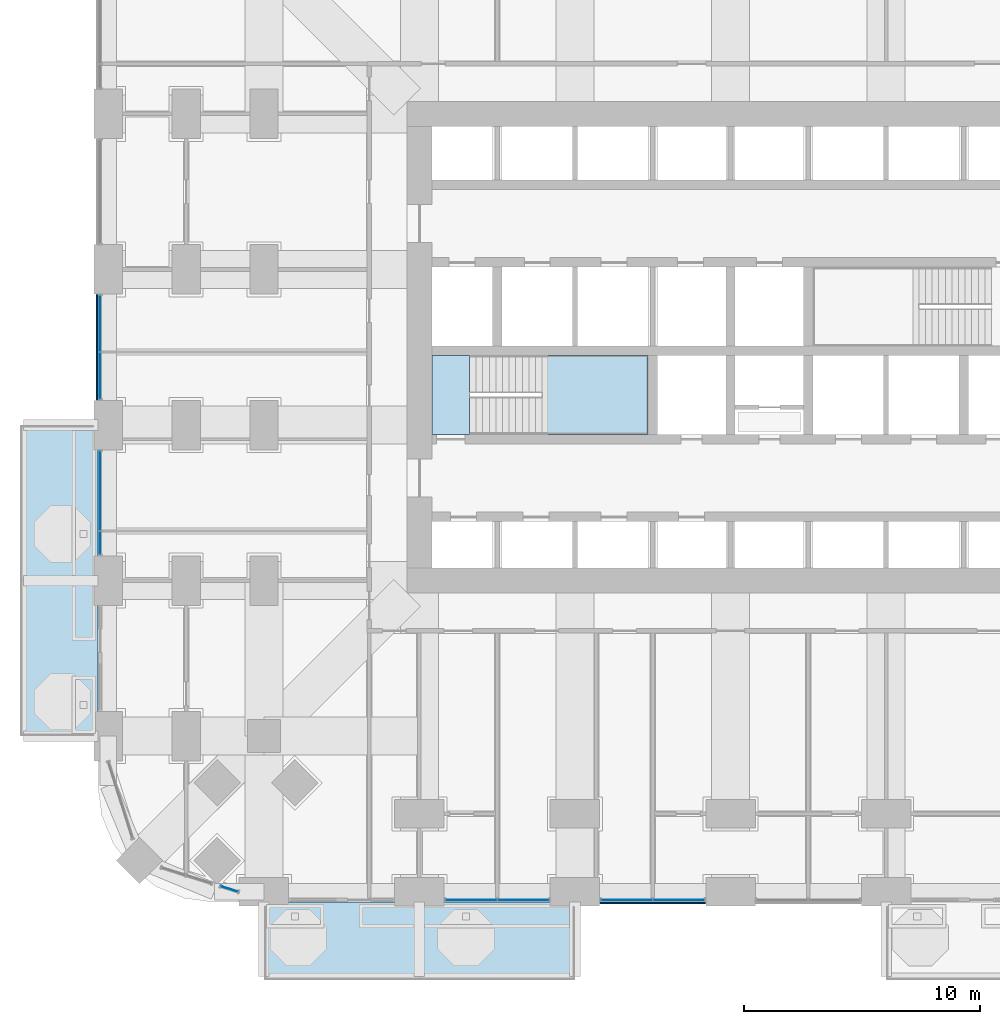
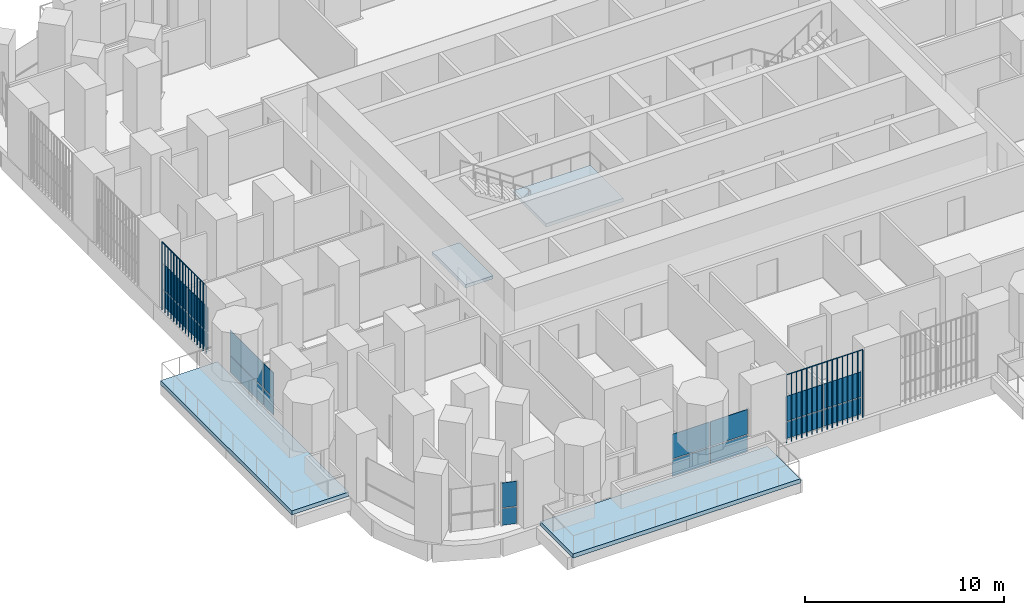
# One storey, part 12 of 27: 20 plates, 4 slabs, 6 elements without a shape of their own.
"""IFC4 building model written with IfcOpenShell, lengths in metres."""

from ifc_helpers import new_model, si_unit, direction, frame, origin, origin_2d, place, context, subcontext, project, spatial, polyline, rectangle, outline, extrude, material, layer, layer_set, type_object, element, aggregate, save


model = new_model("IFC4")

# Units and contexts
model_context = context("Model", 3, precision=1e-05, world=origin(), true_north=direction((0.0, 1.0)))
body_context = subcontext(model_context, "Body", "Model", "MODEL_VIEW")
ifc_project = project(units=[si_unit("LENGTHUNIT", "METRE"), si_unit("AREAUNIT", "SQUARE_METRE"), si_unit("VOLUMEUNIT", "CUBIC_METRE"), si_unit("PLANEANGLEUNIT", "RADIAN"), si_unit("MASSUNIT", "GRAM", prefix="KILO")], contexts=[model_context])

# Site, building, storey
site_placement = place(None, origin())
site = spatial("IfcSite", under=ifc_project, at=site_placement, CompositionType="ELEMENT")
building_placement = place(site_placement, origin())
building = spatial("IfcBuilding", under=site, at=building_placement, Name="Cobogo Forest Laboratory Tower", CompositionType="ELEMENT")
storey_placement = place(building_placement, frame((0.0, 0.0, 63.300048828125)))
storey = spatial("IfcBuildingStorey", under=building, at=storey_placement, Name="L14", CompositionType="ELEMENT", Elevation=63.300048828125)

# Slabs
ifc_material_1 = material(Name="Concrete HA-40 (C40/50)", Category="concrete")
ifc_layer_1 = layer(ifc_material_1, 0.25)
ifc_layer_set_1 = layer_set([ifc_layer_1], Name="Balcony slab 250")
slab_type_1 = type_object("IfcSlabType", Name="Balcony slab 250", PredefinedType="FLOOR", material=ifc_layer_set_1)
slab_1_placement = place(storey_placement, frame((0.0, 0.0, -0.25)))
element("IfcSlab", 1, at=slab_1_placement, inside=storey, type_object=slab_type_1, Name="Balcony BAL-S1 L14", PredefinedType="FLOOR", context=body_context, shape_type="SweptSolid", body=[
    extrude(outline(polyline([(6.60009765625, -3.75), (19.800048828125, -3.75), (19.800048828125, -0.449951171875), (6.60009765625, -0.449951171875), (6.60009765625, -3.75)])), origin(), (0.0, 0.0, 1.0), 0.25),
])
slab_2_placement = place(storey_placement, frame((0.0, 0.0, -0.25)))
element("IfcSlab", 2, at=slab_2_placement, inside=storey, type_object=slab_type_1, Name="Balcony BAL-W1 L14", PredefinedType="FLOOR", context=body_context, shape_type="SweptSolid", body=[
    extrude(outline(polyline([(-3.75, 6.60009765625), (-0.449951171875, 6.60009765625), (-0.449951171875, 19.800048828125), (-3.75, 19.800048828125), (-3.75, 6.60009765625)])), origin(), (0.0, 0.0, 1.0), 0.25),
])

# Curtain wall, plates
ifc_material_2 = material(Name="Aluminium curtain wall", Category="aluminium")
curtain_wall_type = type_object("IfcCurtainWallType", Name="CW-1 unitised curtain wall, clear glazing, laboratory floors zones A and B", PredefinedType="USERDEFINED", material=ifc_material_2)
curtain_wall_1_placement = place(storey_placement, origin())
curtain_wall_1 = element("IfcCurtainWall", 3, at=curtain_wall_1_placement, inside=storey, type_object=curtain_wall_type, Name="Curtain wall 02 L14", ObjectType="UNITISED CURTAIN WALL", PredefinedType="USERDEFINED")
ifc_material_3 = material(Name="Clear insulated glass", Category="glass")
ifc_layer_2 = layer(ifc_material_3, 0.028076171875)
ifc_layer_set_2 = layer_set([ifc_layer_2], Name="GP-1 clear insulated glass unit 28")
plate_type_1 = type_object("IfcPlateType", Name="GP-1 clear insulated glass unit 28", PredefinedType="CURTAIN_PANEL", material=ifc_layer_set_2)
plate_1_placement = place(storey_placement, frame((15.389892578125, -0.35009765625, 0.0), z_axis=(0.0, 0.0, 1.0), x_axis=(1.0, 0.0, 0.0)))
plate_1 = element("IfcPlate", 4, at=plate_1_placement, type_object=plate_type_1, Name="CW-1 panel 1.1", PredefinedType="CURTAIN_PANEL", context=body_context, shape_type="SweptSolid", body=[
    extrude(rectangle(XDim=2.159912109375, YDim=0.028076171875, at=origin_2d()), origin(), (0.0, 0.0, 1.0), 1.02001953125),
])
plate_2_placement = place(storey_placement, frame((15.389892578125, -0.35009765625, 1.079833984375), z_axis=(0.0, 0.0, 1.0), x_axis=(1.0, 0.0, 0.0)))
plate_2 = element("IfcPlate", 5, at=plate_2_placement, type_object=plate_type_1, Name="CW-1 panel 1.2", PredefinedType="CURTAIN_PANEL", context=body_context, shape_type="SweptSolid", body=[
    extrude(rectangle(XDim=2.159912109375, YDim=0.028076171875, at=origin_2d()), origin(), (0.0, 0.0, 1.0), 1.52001953125),
])
plate_3_placement = place(storey_placement, frame((17.610107421875, -0.35009765625, 0.0), z_axis=(0.0, 0.0, 1.0), x_axis=(1.0, 0.0, 0.0)))
plate_3 = element("IfcPlate", 6, at=plate_3_placement, type_object=plate_type_1, Name="CW-1 panel 2.1", PredefinedType="CURTAIN_PANEL", context=body_context, shape_type="SweptSolid", body=[
    extrude(rectangle(XDim=2.159912109375, YDim=0.028076171875, at=origin_2d()), origin(), (0.0, 0.0, 1.0), 1.02001953125),
])
plate_4_placement = place(storey_placement, frame((17.610107421875, -0.35009765625, 1.079833984375), z_axis=(0.0, 0.0, 1.0), x_axis=(1.0, 0.0, 0.0)))
plate_4 = element("IfcPlate", 7, at=plate_4_placement, type_object=plate_type_1, Name="CW-1 panel 2.2", PredefinedType="CURTAIN_PANEL", context=body_context, shape_type="SweptSolid", body=[
    extrude(rectangle(XDim=2.159912109375, YDim=0.028076171875, at=origin_2d()), origin(), (0.0, 0.0, 1.0), 1.52001953125),
])
aggregate(curtain_wall_1, [plate_1, plate_2, plate_3, plate_4])

curtain_wall_2_placement = place(storey_placement, origin())
curtain_wall_2 = element("IfcCurtainWall", 8, at=curtain_wall_2_placement, inside=storey, type_object=curtain_wall_type, Name="Curtain wall 03 L14", ObjectType="UNITISED CURTAIN WALL", PredefinedType="USERDEFINED")
plate_5_placement = place(storey_placement, frame((21.989990234375, -0.35009765625, 0.0), z_axis=(0.0, 0.0, 1.0), x_axis=(1.0, 0.0, 0.0)))
plate_5 = element("IfcPlate", 9, at=plate_5_placement, type_object=plate_type_1, Name="CW-1 panel 1.1", PredefinedType="CURTAIN_PANEL", context=body_context, shape_type="SweptSolid", body=[
    extrude(rectangle(XDim=2.159912109375, YDim=0.028076171875, at=origin_2d()), origin(), (0.0, 0.0, 1.0), 1.02001953125),
])
plate_6_placement = place(storey_placement, frame((21.989990234375, -0.35009765625, 1.079833984375), z_axis=(0.0, 0.0, 1.0), x_axis=(1.0, 0.0, 0.0)))
plate_6 = element("IfcPlate", 10, at=plate_6_placement, type_object=plate_type_1, Name="CW-1 panel 1.2", PredefinedType="CURTAIN_PANEL", context=body_context, shape_type="SweptSolid", body=[
    extrude(rectangle(XDim=2.159912109375, YDim=0.028076171875, at=origin_2d()), origin(), (0.0, 0.0, 1.0), 1.52001953125),
])
plate_7_placement = place(storey_placement, frame((24.2099609375, -0.35009765625, 0.0), z_axis=(0.0, 0.0, 1.0), x_axis=(1.0, 0.0, 0.0)))
plate_7 = element("IfcPlate", 11, at=plate_7_placement, type_object=plate_type_1, Name="CW-1 panel 2.1", PredefinedType="CURTAIN_PANEL", context=body_context, shape_type="SweptSolid", body=[
    extrude(rectangle(XDim=2.159912109375, YDim=0.028076171875, at=origin_2d()), origin(), (0.0, 0.0, 1.0), 1.02001953125),
])
plate_8_placement = place(storey_placement, frame((24.2099609375, -0.35009765625, 1.079833984375), z_axis=(0.0, 0.0, 1.0), x_axis=(1.0, 0.0, 0.0)))
plate_8 = element("IfcPlate", 12, at=plate_8_placement, type_object=plate_type_1, Name="CW-1 panel 2.2", PredefinedType="CURTAIN_PANEL", context=body_context, shape_type="SweptSolid", body=[
    extrude(rectangle(XDim=2.159912109375, YDim=0.028076171875, at=origin_2d()), origin(), (0.0, 0.0, 1.0), 1.52001953125),
])
aggregate(curtain_wall_2, [plate_5, plate_6, plate_7, plate_8])

curtain_wall_3_placement = place(storey_placement, origin())
curtain_wall_3 = element("IfcCurtainWall", 13, at=curtain_wall_3_placement, inside=storey, type_object=curtain_wall_type, Name="Curtain wall 29 L14", ObjectType="UNITISED CURTAIN WALL", PredefinedType="USERDEFINED")
plate_9_placement = place(storey_placement, frame((-0.35009765625, 24.110107421875, 0.0), z_axis=(0.0, 0.0, 1.0), x_axis=(0.0, -1.0, 0.0)))
plate_9 = element("IfcPlate", 14, at=plate_9_placement, type_object=plate_type_1, Name="CW-1 panel 1.1", PredefinedType="CURTAIN_PANEL", context=body_context, shape_type="SweptSolid", body=[
    extrude(rectangle(XDim=2.360107421875, YDim=0.028076171875, at=origin_2d()), origin(), (0.0, 0.0, 1.0), 1.02001953125),
])
plate_10_placement = place(storey_placement, frame((-0.35009765625, 24.110107421875, 1.079833984375), z_axis=(0.0, 0.0, 1.0), x_axis=(0.0, -1.0, 0.0)))
plate_10 = element("IfcPlate", 15, at=plate_10_placement, type_object=plate_type_1, Name="CW-1 panel 1.2", PredefinedType="CURTAIN_PANEL", context=body_context, shape_type="SweptSolid", body=[
    extrude(rectangle(XDim=2.360107421875, YDim=0.028076171875, at=origin_2d()), origin(), (0.0, 0.0, 1.0), 1.52001953125),
])
plate_11_placement = place(storey_placement, frame((-0.35009765625, 21.889892578125, 0.0), z_axis=(0.0, 0.0, 1.0), x_axis=(0.0, -1.0, 0.0)))
plate_11 = element("IfcPlate", 16, at=plate_11_placement, type_object=plate_type_1, Name="CW-1 panel 2.1", PredefinedType="CURTAIN_PANEL", context=body_context, shape_type="SweptSolid", body=[
    extrude(rectangle(XDim=1.9599609375, YDim=0.028076171875, at=origin_2d()), origin(), (0.0, 0.0, 1.0), 1.02001953125),
])
plate_12_placement = place(storey_placement, frame((-0.35009765625, 21.889892578125, 1.079833984375), z_axis=(0.0, 0.0, 1.0), x_axis=(0.0, -1.0, 0.0)))
plate_12 = element("IfcPlate", 17, at=plate_12_placement, type_object=plate_type_1, Name="CW-1 panel 2.2", PredefinedType="CURTAIN_PANEL", context=body_context, shape_type="SweptSolid", body=[
    extrude(rectangle(XDim=1.9599609375, YDim=0.028076171875, at=origin_2d()), origin(), (0.0, 0.0, 1.0), 1.52001953125),
])
aggregate(curtain_wall_3, [plate_9, plate_10, plate_11, plate_12])

curtain_wall_4_placement = place(storey_placement, origin())
curtain_wall_4 = element("IfcCurtainWall", 18, at=curtain_wall_4_placement, inside=storey, type_object=curtain_wall_type, Name="Curtain wall 30 L14", ObjectType="UNITISED CURTAIN WALL", PredefinedType="USERDEFINED")
plate_13_placement = place(storey_placement, frame((-0.35009765625, 17.010009765625, 0.0), z_axis=(0.0, 0.0, 1.0), x_axis=(0.0, -1.0, 0.0)))
plate_13 = element("IfcPlate", 19, at=plate_13_placement, type_object=plate_type_1, Name="CW-1 panel 1.1", PredefinedType="CURTAIN_PANEL", context=body_context, shape_type="SweptSolid", body=[
    extrude(rectangle(XDim=3.360107421875, YDim=0.028076171875, at=origin_2d()), origin(), (0.0, 0.0, 1.0), 1.02001953125),
])
plate_14_placement = place(storey_placement, frame((-0.35009765625, 17.010009765625, 1.079833984375), z_axis=(0.0, 0.0, 1.0), x_axis=(0.0, -1.0, 0.0)))
plate_14 = element("IfcPlate", 20, at=plate_14_placement, type_object=plate_type_1, Name="CW-1 panel 1.2", PredefinedType="CURTAIN_PANEL", context=body_context, shape_type="SweptSolid", body=[
    extrude(rectangle(XDim=3.360107421875, YDim=0.028076171875, at=origin_2d()), origin(), (0.0, 0.0, 1.0), 1.52001953125),
])
plate_15_placement = place(storey_placement, frame((-0.35009765625, 14.7900390625, 0.0), z_axis=(0.0, 0.0, 1.0), x_axis=(0.0, -1.0, 0.0)))
plate_15 = element("IfcPlate", 21, at=plate_15_placement, type_object=plate_type_1, Name="CW-1 panel 2.1", PredefinedType="CURTAIN_PANEL", context=body_context, shape_type="SweptSolid", body=[
    extrude(rectangle(XDim=0.9599609375, YDim=0.028076171875, at=origin_2d()), origin(), (0.0, 0.0, 1.0), 1.02001953125),
])
plate_16_placement = place(storey_placement, frame((-0.35009765625, 14.7900390625, 1.079833984375), z_axis=(0.0, 0.0, 1.0), x_axis=(0.0, -1.0, 0.0)))
plate_16 = element("IfcPlate", 22, at=plate_16_placement, type_object=plate_type_1, Name="CW-1 panel 2.2", PredefinedType="CURTAIN_PANEL", context=body_context, shape_type="SweptSolid", body=[
    extrude(rectangle(XDim=0.9599609375, YDim=0.028076171875, at=origin_2d()), origin(), (0.0, 0.0, 1.0), 1.52001953125),
])
aggregate(curtain_wall_4, [plate_13, plate_14, plate_15, plate_16])

curtain_wall_5_placement = place(storey_placement, origin())
curtain_wall_5 = element("IfcCurtainWall", 23, at=curtain_wall_5_placement, inside=storey, type_object=curtain_wall_type, Name="Curtain wall 34 L14", ObjectType="UNITISED CURTAIN WALL", PredefinedType="USERDEFINED")
plate_17_placement = place(storey_placement, frame((5.134033203125, 0.113037109375, 0.0), z_axis=(0.0, 0.0, 1.0), x_axis=(0.953581504428, -0.301135043481, 0.0)))
plate_17 = element("IfcPlate", 24, at=plate_17_placement, type_object=plate_type_1, Name="CW-1 panel 1.1", PredefinedType="CURTAIN_PANEL", context=body_context, shape_type="SweptSolid", body=[
    extrude(rectangle(XDim=0.75244140625, YDim=0.028076171875, at=origin_2d()), origin(), (0.0, 0.0, 1.0), 1.02001953125),
])
plate_18_placement = place(storey_placement, frame((5.134033203125, 0.113037109375, 1.079833984375), z_axis=(0.0, 0.0, 1.0), x_axis=(0.953581504428, -0.301135043481, 0.0)))
plate_18 = element("IfcPlate", 25, at=plate_18_placement, type_object=plate_type_1, Name="CW-1 panel 1.2", PredefinedType="CURTAIN_PANEL", context=body_context, shape_type="SweptSolid", body=[
    extrude(rectangle(XDim=0.75244140625, YDim=0.028076171875, at=origin_2d()), origin(), (0.0, 0.0, 1.0), 1.52001953125),
])
aggregate(curtain_wall_5, [plate_17, plate_18])

# Stair, slabs
ifc_material_4 = material(Name="Precast concrete HA-40 (C40/50)", Category="concrete")
stair_type = type_object("IfcStairType", Name="ST24 exit stair 24 risers", PredefinedType="HALF_TURN_STAIR", material=ifc_material_4)
stair_placement = place(storey_placement, origin())
stair = element("IfcStair", 26, at=stair_placement, inside=storey, type_object=stair_type, Name="Stair 1 L14 to L15", PredefinedType="HALF_TURN_STAIR")
ifc_layer_3 = layer(ifc_material_1, 0.199951171875)
ifc_layer_set_3 = layer_set([ifc_layer_3], Name="SL stair landing 200")
slab_type_2 = type_object("IfcSlabType", Name="SL stair landing 200", PredefinedType="LANDING", material=ifc_layer_set_3)
slab_3_placement = place(storey_placement, frame((0.0, 0.0, -0.199951171875)))
slab_3 = element("IfcSlab", 27, at=slab_3_placement, type_object=slab_type_2, Name="ST1 landing 1", PredefinedType="LANDING", context=body_context, shape_type="SweptSolid", body=[
    extrude(outline(polyline([(13.72509765625, 19.39990234375), (15.326904296875, 19.39990234375), (15.326904296875, 22.75), (13.72509765625, 22.75), (13.72509765625, 19.39990234375)])), origin(), (0.0, 0.0, 1.0), 0.199951171875),
])
slab_4_placement = place(storey_placement, frame((0.0, 0.0, 1.89990234375)))
slab_4 = element("IfcSlab", 28, at=slab_4_placement, type_object=slab_type_2, Name="ST1 landing 2", PredefinedType="LANDING", context=body_context, shape_type="SweptSolid", body=[
    extrude(outline(polyline([(18.403076171875, 19.39990234375), (22.89990234375, 19.39990234375), (22.89990234375, 22.75), (18.403076171875, 22.75), (18.403076171875, 19.39990234375)])), origin(), (0.0, 0.0, 1.0), 0.199951171875),
])
aggregate(stair, [slab_3, slab_4])

# Plates
ifc_material_5 = material(Name="Terracotta", Category="masonry")
plate_type_2 = type_object("IfcPlateType", Name="TB1 terracotta baguette screen", PredefinedType="USERDEFINED", material=ifc_material_5)
plate_19_placement = place(storey_placement, frame((20.88134765625, -0.477783203125, -0.150146484375)))
element("IfcPlate", 29, at=plate_19_placement, inside=storey, type_object=plate_type_2, Name="Baguette screen S3 L14", ObjectType="BAGUETTE SCREEN", PredefinedType="USERDEFINED", context=body_context, shape_type="SweptSolid", body=[
    extrude(outline(polyline([(0.02880859375, 0.011962890625), (0.011962890625, 0.02880859375), (-0.011962890625, 0.02880859375), (-0.02880859375, 0.011962890625), (-0.02880859375, -0.011962890625), (-0.011962890625, -0.02880859375), (0.011962890625, -0.02880859375), (0.02880859375, -0.011962890625), (0.02880859375, 0.011962890625)])), frame((0.0, 0.0, 4.168701171875), z_axis=(1.0, 0.0, 0.0), x_axis=(0.0, 1.0, 0.0)), (0.0, 0.0, 1.0), 4.4375),
    extrude(outline(polyline([(0.02880859375, 0.011962890625), (0.011962890625, 0.02880859375), (-0.011962890625, 0.02880859375), (-0.02880859375, 0.011962890625), (-0.02880859375, -0.011962890625), (-0.011962890625, -0.02880859375), (0.011962890625, -0.02880859375), (0.02880859375, -0.011962890625), (0.02880859375, 0.011962890625)])), origin(), (0.0, 0.0, 1.0), 4.137451171875),
    extrude(outline(polyline([(0.02880859375, 0.011962890625), (0.011962890625, 0.02880859375), (-0.011962890625, 0.02880859375), (-0.02880859375, 0.011962890625), (-0.02880859375, -0.011962890625), (-0.011962890625, -0.02880859375), (0.011962890625, -0.02880859375), (0.02880859375, -0.011962890625), (0.02880859375, 0.011962890625)])), frame((0.2958984375, 0.0, 0.0)), (0.0, 0.0, 1.0), 4.137451171875),
    extrude(outline(polyline([(0.02880859375, 0.011962890625), (0.011962890625, 0.02880859375), (-0.011962890625, 0.02880859375), (-0.02880859375, 0.011962890625), (-0.02880859375, -0.011962890625), (-0.011962890625, -0.02880859375), (0.011962890625, -0.02880859375), (0.02880859375, -0.011962890625), (0.02880859375, 0.011962890625)])), frame((0.591552734375, 0.0, 0.0)), (0.0, 0.0, 1.0), 4.137451171875),
    extrude(outline(polyline([(0.02880859375, 0.011962890625), (0.011962890625, 0.02880859375), (-0.011962890625, 0.02880859375), (-0.02880859375, 0.011962890625), (-0.02880859375, -0.011962890625), (-0.011962890625, -0.02880859375), (0.011962890625, -0.02880859375), (0.02880859375, -0.011962890625), (0.02880859375, 0.011962890625)])), frame((0.887451171875, 0.0, 0.0)), (0.0, 0.0, 1.0), 4.137451171875),
    extrude(outline(polyline([(0.02880859375, 0.011962890625), (0.011962890625, 0.02880859375), (-0.011962890625, 0.02880859375), (-0.02880859375, 0.011962890625), (-0.02880859375, -0.011962890625), (-0.011962890625, -0.02880859375), (0.011962890625, -0.02880859375), (0.02880859375, -0.011962890625), (0.02880859375, 0.011962890625)])), frame((1.183349609375, 0.0, 0.0)), (0.0, 0.0, 1.0), 4.137451171875),
    extrude(outline(polyline([(0.02880859375, 0.011962890625), (0.011962890625, 0.02880859375), (-0.011962890625, 0.02880859375), (-0.02880859375, 0.011962890625), (-0.02880859375, -0.011962890625), (-0.011962890625, -0.02880859375), (0.011962890625, -0.02880859375), (0.02880859375, -0.011962890625), (0.02880859375, 0.011962890625)])), frame((1.479248046875, 0.0, 0.0)), (0.0, 0.0, 1.0), 4.137451171875),
    extrude(outline(polyline([(0.02880859375, 0.011962890625), (0.011962890625, 0.02880859375), (-0.011962890625, 0.02880859375), (-0.02880859375, 0.011962890625), (-0.02880859375, -0.011962890625), (-0.011962890625, -0.02880859375), (0.011962890625, -0.02880859375), (0.02880859375, -0.011962890625), (0.02880859375, 0.011962890625)])), frame((1.77490234375, 0.0, 0.0)), (0.0, 0.0, 1.0), 4.137451171875),
    extrude(outline(polyline([(0.02880859375, 0.011962890625), (0.011962890625, 0.02880859375), (-0.011962890625, 0.02880859375), (-0.02880859375, 0.011962890625), (-0.02880859375, -0.011962890625), (-0.011962890625, -0.02880859375), (0.011962890625, -0.02880859375), (0.02880859375, -0.011962890625), (0.02880859375, 0.011962890625)])), frame((2.07080078125, 0.0, 0.0)), (0.0, 0.0, 1.0), 4.137451171875),
    extrude(outline(polyline([(0.02880859375, 0.011962890625), (0.011962890625, 0.02880859375), (-0.011962890625, 0.02880859375), (-0.02880859375, 0.011962890625), (-0.02880859375, -0.011962890625), (-0.011962890625, -0.02880859375), (0.011962890625, -0.02880859375), (0.02880859375, -0.011962890625), (0.02880859375, 0.011962890625)])), frame((2.36669921875, 0.0, 0.0)), (0.0, 0.0, 1.0), 4.137451171875),
    extrude(outline(polyline([(0.02880859375, 0.011962890625), (0.011962890625, 0.02880859375), (-0.011962890625, 0.02880859375), (-0.02880859375, 0.011962890625), (-0.02880859375, -0.011962890625), (-0.011962890625, -0.02880859375), (0.011962890625, -0.02880859375), (0.02880859375, -0.011962890625), (0.02880859375, 0.011962890625)])), frame((2.66259765625, 0.0, 0.0)), (0.0, 0.0, 1.0), 4.137451171875),
    extrude(outline(polyline([(0.02880859375, 0.011962890625), (0.011962890625, 0.02880859375), (-0.011962890625, 0.02880859375), (-0.02880859375, 0.011962890625), (-0.02880859375, -0.011962890625), (-0.011962890625, -0.02880859375), (0.011962890625, -0.02880859375), (0.02880859375, -0.011962890625), (0.02880859375, 0.011962890625)])), frame((2.958251953125, 0.0, 0.0)), (0.0, 0.0, 1.0), 4.137451171875),
    extrude(outline(polyline([(0.02880859375, 0.011962890625), (0.011962890625, 0.02880859375), (-0.011962890625, 0.02880859375), (-0.02880859375, 0.011962890625), (-0.02880859375, -0.011962890625), (-0.011962890625, -0.02880859375), (0.011962890625, -0.02880859375), (0.02880859375, -0.011962890625), (0.02880859375, 0.011962890625)])), frame((3.254150390625, 0.0, 0.0)), (0.0, 0.0, 1.0), 4.137451171875),
    extrude(outline(polyline([(0.02880859375, 0.011962890625), (0.011962890625, 0.02880859375), (-0.011962890625, 0.02880859375), (-0.02880859375, 0.011962890625), (-0.02880859375, -0.011962890625), (-0.011962890625, -0.02880859375), (0.011962890625, -0.02880859375), (0.02880859375, -0.011962890625), (0.02880859375, 0.011962890625)])), frame((3.550048828125, 0.0, 0.0)), (0.0, 0.0, 1.0), 4.137451171875),
    extrude(outline(polyline([(0.02880859375, 0.011962890625), (0.011962890625, 0.02880859375), (-0.011962890625, 0.02880859375), (-0.02880859375, 0.011962890625), (-0.02880859375, -0.011962890625), (-0.011962890625, -0.02880859375), (0.011962890625, -0.02880859375), (0.02880859375, -0.011962890625), (0.02880859375, 0.011962890625)])), frame((3.845947265625, 0.0, 0.0)), (0.0, 0.0, 1.0), 4.137451171875),
    extrude(outline(polyline([(0.02880859375, 0.011962890625), (0.011962890625, 0.02880859375), (-0.011962890625, 0.02880859375), (-0.02880859375, 0.011962890625), (-0.02880859375, -0.011962890625), (-0.011962890625, -0.02880859375), (0.011962890625, -0.02880859375), (0.02880859375, -0.011962890625), (0.02880859375, 0.011962890625)])), frame((4.1416015625, 0.0, 0.0)), (0.0, 0.0, 1.0), 4.137451171875),
    extrude(outline(polyline([(0.02880859375, 0.011962890625), (0.011962890625, 0.02880859375), (-0.011962890625, 0.02880859375), (-0.02880859375, 0.011962890625), (-0.02880859375, -0.011962890625), (-0.011962890625, -0.02880859375), (0.011962890625, -0.02880859375), (0.02880859375, -0.011962890625), (0.02880859375, 0.011962890625)])), frame((4.4375, 0.0, 0.0)), (0.0, 0.0, 1.0), 4.137451171875),
])
plate_20_placement = place(storey_placement, frame((-0.477783203125, 20.88134765625, -0.150146484375)))
element("IfcPlate", 30, at=plate_20_placement, inside=storey, type_object=plate_type_2, Name="Baguette screen W3 L14", ObjectType="BAGUETTE SCREEN", PredefinedType="USERDEFINED", context=body_context, shape_type="SweptSolid", body=[
    extrude(outline(polyline([(0.02880859375, 0.011962890625), (0.011962890625, 0.02880859375), (-0.011962890625, 0.02880859375), (-0.02880859375, 0.011962890625), (-0.02880859375, -0.011962890625), (-0.011962890625, -0.02880859375), (0.011962890625, -0.02880859375), (0.02880859375, -0.011962890625), (0.02880859375, 0.011962890625)])), frame((0.0, 0.0, 4.168701171875), z_axis=(0.0, 1.0, 0.0), x_axis=(-1.0, 0.0, 0.0)), (0.0, 0.0, 1.0), 4.4375),
    extrude(outline(polyline([(0.02880859375, 0.011962890625), (0.011962890625, 0.02880859375), (-0.011962890625, 0.02880859375), (-0.02880859375, 0.011962890625), (-0.02880859375, -0.011962890625), (-0.011962890625, -0.02880859375), (0.011962890625, -0.02880859375), (0.02880859375, -0.011962890625), (0.02880859375, 0.011962890625)])), origin(), (0.0, 0.0, 1.0), 4.137451171875),
    extrude(outline(polyline([(0.02880859375, 0.011962890625), (0.011962890625, 0.02880859375), (-0.011962890625, 0.02880859375), (-0.02880859375, 0.011962890625), (-0.02880859375, -0.011962890625), (-0.011962890625, -0.02880859375), (0.011962890625, -0.02880859375), (0.02880859375, -0.011962890625), (0.02880859375, 0.011962890625)])), frame((0.0, 0.2958984375, 0.0)), (0.0, 0.0, 1.0), 4.137451171875),
    extrude(outline(polyline([(0.02880859375, 0.011962890625), (0.011962890625, 0.02880859375), (-0.011962890625, 0.02880859375), (-0.02880859375, 0.011962890625), (-0.02880859375, -0.011962890625), (-0.011962890625, -0.02880859375), (0.011962890625, -0.02880859375), (0.02880859375, -0.011962890625), (0.02880859375, 0.011962890625)])), frame((0.0, 0.591552734375, 0.0)), (0.0, 0.0, 1.0), 4.137451171875),
    extrude(outline(polyline([(0.02880859375, 0.011962890625), (0.011962890625, 0.02880859375), (-0.011962890625, 0.02880859375), (-0.02880859375, 0.011962890625), (-0.02880859375, -0.011962890625), (-0.011962890625, -0.02880859375), (0.011962890625, -0.02880859375), (0.02880859375, -0.011962890625), (0.02880859375, 0.011962890625)])), frame((0.0, 0.887451171875, 0.0)), (0.0, 0.0, 1.0), 4.137451171875),
    extrude(outline(polyline([(0.02880859375, 0.011962890625), (0.011962890625, 0.02880859375), (-0.011962890625, 0.02880859375), (-0.02880859375, 0.011962890625), (-0.02880859375, -0.011962890625), (-0.011962890625, -0.02880859375), (0.011962890625, -0.02880859375), (0.02880859375, -0.011962890625), (0.02880859375, 0.011962890625)])), frame((0.0, 1.183349609375, 0.0)), (0.0, 0.0, 1.0), 4.137451171875),
    extrude(outline(polyline([(0.02880859375, 0.011962890625), (0.011962890625, 0.02880859375), (-0.011962890625, 0.02880859375), (-0.02880859375, 0.011962890625), (-0.02880859375, -0.011962890625), (-0.011962890625, -0.02880859375), (0.011962890625, -0.02880859375), (0.02880859375, -0.011962890625), (0.02880859375, 0.011962890625)])), frame((0.0, 1.479248046875, 0.0)), (0.0, 0.0, 1.0), 4.137451171875),
    extrude(outline(polyline([(0.02880859375, 0.011962890625), (0.011962890625, 0.02880859375), (-0.011962890625, 0.02880859375), (-0.02880859375, 0.011962890625), (-0.02880859375, -0.011962890625), (-0.011962890625, -0.02880859375), (0.011962890625, -0.02880859375), (0.02880859375, -0.011962890625), (0.02880859375, 0.011962890625)])), frame((0.0, 1.77490234375, 0.0)), (0.0, 0.0, 1.0), 4.137451171875),
    extrude(outline(polyline([(0.02880859375, 0.011962890625), (0.011962890625, 0.02880859375), (-0.011962890625, 0.02880859375), (-0.02880859375, 0.011962890625), (-0.02880859375, -0.011962890625), (-0.011962890625, -0.02880859375), (0.011962890625, -0.02880859375), (0.02880859375, -0.011962890625), (0.02880859375, 0.011962890625)])), frame((0.0, 2.07080078125, 0.0)), (0.0, 0.0, 1.0), 4.137451171875),
    extrude(outline(polyline([(0.02880859375, 0.011962890625), (0.011962890625, 0.02880859375), (-0.011962890625, 0.02880859375), (-0.02880859375, 0.011962890625), (-0.02880859375, -0.011962890625), (-0.011962890625, -0.02880859375), (0.011962890625, -0.02880859375), (0.02880859375, -0.011962890625), (0.02880859375, 0.011962890625)])), frame((0.0, 2.36669921875, 0.0)), (0.0, 0.0, 1.0), 4.137451171875),
    extrude(outline(polyline([(0.02880859375, 0.011962890625), (0.011962890625, 0.02880859375), (-0.011962890625, 0.02880859375), (-0.02880859375, 0.011962890625), (-0.02880859375, -0.011962890625), (-0.011962890625, -0.02880859375), (0.011962890625, -0.02880859375), (0.02880859375, -0.011962890625), (0.02880859375, 0.011962890625)])), frame((0.0, 2.66259765625, 0.0)), (0.0, 0.0, 1.0), 4.137451171875),
    extrude(outline(polyline([(0.02880859375, 0.011962890625), (0.011962890625, 0.02880859375), (-0.011962890625, 0.02880859375), (-0.02880859375, 0.011962890625), (-0.02880859375, -0.011962890625), (-0.011962890625, -0.02880859375), (0.011962890625, -0.02880859375), (0.02880859375, -0.011962890625), (0.02880859375, 0.011962890625)])), frame((0.0, 2.958251953125, 0.0)), (0.0, 0.0, 1.0), 4.137451171875),
    extrude(outline(polyline([(0.02880859375, 0.011962890625), (0.011962890625, 0.02880859375), (-0.011962890625, 0.02880859375), (-0.02880859375, 0.011962890625), (-0.02880859375, -0.011962890625), (-0.011962890625, -0.02880859375), (0.011962890625, -0.02880859375), (0.02880859375, -0.011962890625), (0.02880859375, 0.011962890625)])), frame((0.0, 3.254150390625, 0.0)), (0.0, 0.0, 1.0), 4.137451171875),
    extrude(outline(polyline([(0.02880859375, 0.011962890625), (0.011962890625, 0.02880859375), (-0.011962890625, 0.02880859375), (-0.02880859375, 0.011962890625), (-0.02880859375, -0.011962890625), (-0.011962890625, -0.02880859375), (0.011962890625, -0.02880859375), (0.02880859375, -0.011962890625), (0.02880859375, 0.011962890625)])), frame((0.0, 3.550048828125, 0.0)), (0.0, 0.0, 1.0), 4.137451171875),
    extrude(outline(polyline([(0.02880859375, 0.011962890625), (0.011962890625, 0.02880859375), (-0.011962890625, 0.02880859375), (-0.02880859375, 0.011962890625), (-0.02880859375, -0.011962890625), (-0.011962890625, -0.02880859375), (0.011962890625, -0.02880859375), (0.02880859375, -0.011962890625), (0.02880859375, 0.011962890625)])), frame((0.0, 3.845947265625, 0.0)), (0.0, 0.0, 1.0), 4.137451171875),
    extrude(outline(polyline([(0.02880859375, 0.011962890625), (0.011962890625, 0.02880859375), (-0.011962890625, 0.02880859375), (-0.02880859375, 0.011962890625), (-0.02880859375, -0.011962890625), (-0.011962890625, -0.02880859375), (0.011962890625, -0.02880859375), (0.02880859375, -0.011962890625), (0.02880859375, 0.011962890625)])), frame((0.0, 4.1416015625, 0.0)), (0.0, 0.0, 1.0), 4.137451171875),
    extrude(outline(polyline([(0.02880859375, 0.011962890625), (0.011962890625, 0.02880859375), (-0.011962890625, 0.02880859375), (-0.02880859375, 0.011962890625), (-0.02880859375, -0.011962890625), (-0.011962890625, -0.02880859375), (0.011962890625, -0.02880859375), (0.02880859375, -0.011962890625), (0.02880859375, 0.011962890625)])), frame((0.0, 4.4375, 0.0)), (0.0, 0.0, 1.0), 4.137451171875),
])

save(model, "model.ifc")
